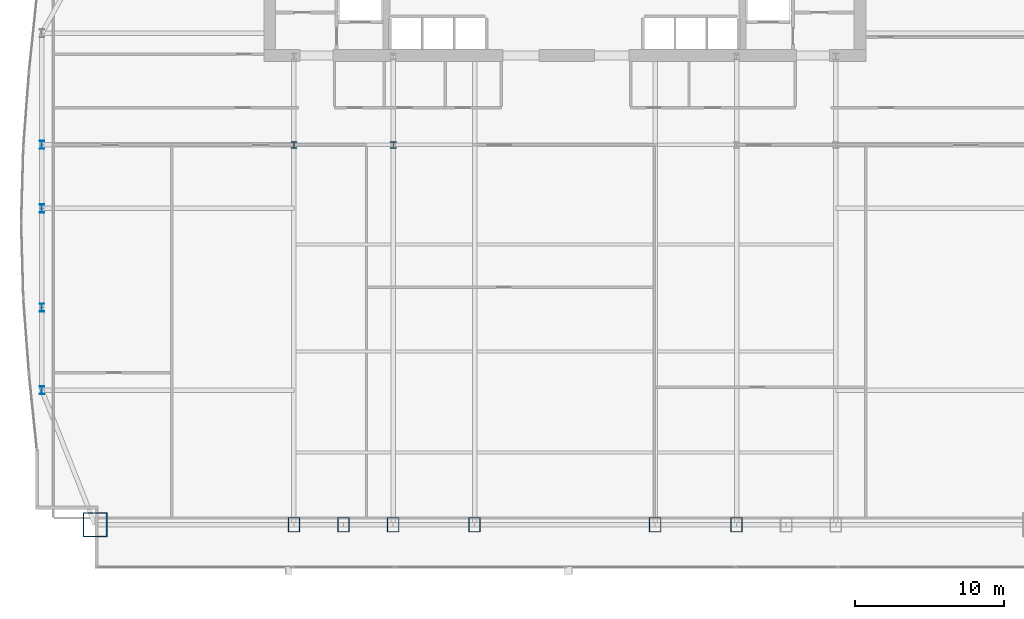
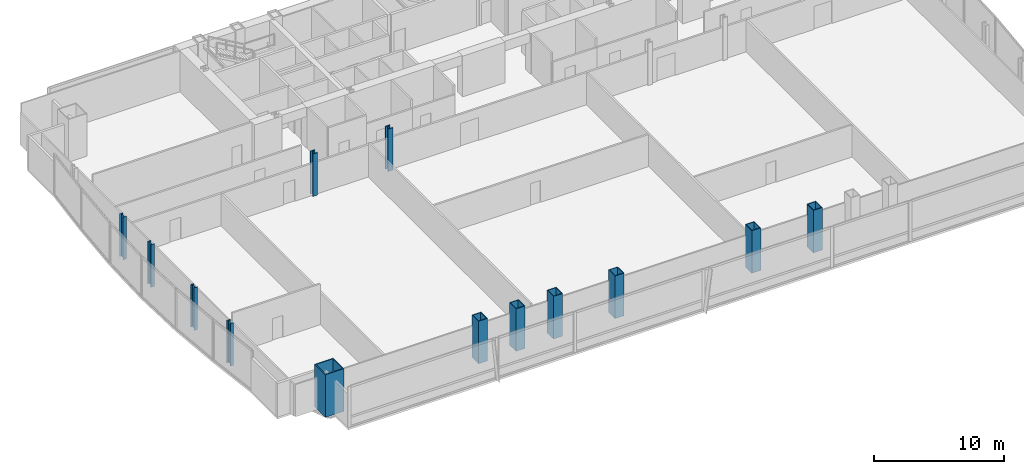
# One storey, part 1 of 32: 13 columns.
"""IFC4 building model written with IfcOpenShell, lengths in metres."""

from ifc_helpers import new_model, si_unit, direction, frame, origin, origin_2d, place, context, subcontext, project, spatial, hollow_rectangle, i_section, extrude, material, material_profile, profile_set, type_object, element, save


model = new_model("IFC4")

# Units and contexts
model_context = context("Model", 3, precision=1e-05, world=origin(), true_north=direction((0.0, 1.0)))
body_context = subcontext(model_context, "Body", "Model", "MODEL_VIEW")
ifc_project = project(units=[si_unit("LENGTHUNIT", "METRE"), si_unit("AREAUNIT", "SQUARE_METRE"), si_unit("VOLUMEUNIT", "CUBIC_METRE"), si_unit("PLANEANGLEUNIT", "RADIAN"), si_unit("MASSUNIT", "GRAM", prefix="KILO")], contexts=[model_context])

# Site, building, storey
site_placement = place(None, origin())
site = spatial("IfcSite", under=ifc_project, at=site_placement, CompositionType="ELEMENT")
building_placement = place(site_placement, origin())
building = spatial("IfcBuilding", under=site, at=building_placement, Name="Khoronbel Lancet Exchange", CompositionType="ELEMENT")
storey_placement = place(building_placement, frame((0.0, 0.0, 29.800048828125)))
storey = spatial("IfcBuildingStorey", under=building, at=storey_placement, Name="L06", CompositionType="ELEMENT", Elevation=29.800048828125)

# Columns
ifc_material_1 = material(Name="Steel S460", Category="steel")
ifc_material_profile_1 = material_profile(ifc_material_1, hollow_rectangle(XDim=0.800048828125, YDim=1.0, WallThickness=0.054931640625, at=origin_2d()), Name="BOX 1000x800x55")
ifc_profile_set_1 = profile_set([ifc_material_profile_1], Name="Steel S460")
column_type_1 = type_object("IfcColumnType", Name="COL-EC1", PredefinedType="COLUMN", material=ifc_profile_set_1)
for number, where, z_axis, x_axis, name in (
    (1, (18.22509765625, 10.14990234375, 0.0), (0.0, 0.0, 1.0), (1.0, 0.0, 0.0), "Structural column SC-W1 L06"),
    (2, (21.5625, 10.14990234375, 0.0), (0.0, 0.0, 1.0), (1.0, 0.0, 0.0), "Structural column SC-WM L06"),
    (3, (24.89990234375, 10.14990234375, 0.0), (0.0, 0.0, 1.0), (1.0, 0.0, 0.0), "Structural column SC-W2 L06"),
    (4, (30.375, 10.14990234375, 0.0), (0.0, 0.0, 1.0), (1.0, 0.0, 0.0), "Structural column SC-C1 L06"),
    (5, (42.52490234375, 10.14990234375, 0.0), (0.0, 0.0, 1.0), (1.0, 0.0, 0.0), "Structural column SC-C2 L06"),
    (6, (48.0, 10.14990234375, 0.0), (0.0, 0.0, 1.0), (1.0, 0.0, 0.0), "Structural column SC-E1 L06"),
):
    element("IfcColumn", number, at=place(storey_placement, frame(where, z_axis=z_axis, x_axis=x_axis)), inside=storey, type_object=column_type_1, Name=name, PredefinedType="COLUMN", context=body_context, shape_type="SweptSolid", body=[
        extrude(hollow_rectangle(XDim=0.800048828125, YDim=1.0, WallThickness=0.054931640625, at=origin_2d()), origin(), (0.0, 0.0, 1.0), 4.0),
    ])
ifc_material_profile_2 = material_profile(ifc_material_1, i_section(OverallWidth=0.424072265625, OverallDepth=0.47412109375, WebThickness=0.047607421875, FlangeThickness=0.076904296875, at=origin_2d()), Name="HD 400x634")
ifc_profile_set_2 = profile_set([ifc_material_profile_2], Name="Steel S460")
column_type_2 = type_object("IfcColumnType", Name="COL-IC1", PredefinedType="COLUMN", material=ifc_profile_set_2)
for number, where, z_axis, x_axis, name in (
    (7, (18.22509765625, 35.699951171875, 0.0), (0.0, 0.0, 1.0), (1.0, 0.0, 0.0), "Spine gravity column TC1 L06"),
    (8, (24.89990234375, 35.699951171875, 0.0), (0.0, 0.0, 1.0), (1.0, 0.0, 0.0), "Spine gravity column TC2 L06"),
):
    element("IfcColumn", number, at=place(storey_placement, frame(where, z_axis=z_axis, x_axis=x_axis)), inside=storey, type_object=column_type_2, Name=name, PredefinedType="COLUMN", context=body_context, shape_type="SweptSolid", body=[
        extrude(i_section(OverallWidth=0.424072265625, OverallDepth=0.47412109375, WebThickness=0.047607421875, FlangeThickness=0.076904296875, at=origin_2d()), origin(), (0.0, 0.0, 1.0), 4.0),
    ])
ifc_material_2 = material(Name="Steel S355", Category="steel")
ifc_material_profile_3 = material_profile(ifc_material_2, i_section(OverallWidth=0.300048828125, OverallDepth=0.550048828125, WebThickness=0.014892578125, FlangeThickness=0.029052734375, at=origin_2d()), Name="HEB 550")
ifc_profile_set_3 = profile_set([ifc_material_profile_3], Name="Steel S355")
column_type_3 = type_object("IfcColumnType", Name="COL-LC1", PredefinedType="COLUMN", material=ifc_profile_set_3)
for number, where, z_axis, x_axis, name in (
    (9, (1.27001953125, 19.199951171875, 0.0), (0.0, 0.0, 1.0), (1.0, 0.0, 0.0), "Structural column WC-1 L06"),
    (10, (1.27001953125, 24.75, 0.0), (0.0, 0.0, 1.0), (1.0, 0.0, 0.0), "Structural column WC-2 L06"),
    (11, (1.27001953125, 31.425048828125, 0.0), (0.0, 0.0, 1.0), (1.0, 0.0, 0.0), "Structural column WC-M L06"),
    (12, (1.27001953125, 35.699951171875, 0.0), (0.0, 0.0, 1.0), (1.0, 0.0, 0.0), "Structural column WC-3 L06"),
):
    element("IfcColumn", number, at=place(storey_placement, frame(where, z_axis=z_axis, x_axis=x_axis)), inside=storey, type_object=column_type_3, Name=name, PredefinedType="COLUMN", context=body_context, shape_type="SweptSolid", body=[
        extrude(i_section(OverallWidth=0.300048828125, OverallDepth=0.550048828125, WebThickness=0.014892578125, FlangeThickness=0.029052734375, at=origin_2d()), origin(), (0.0, 0.0, 1.0), 4.0),
    ])
ifc_material_profile_4 = material_profile(ifc_material_1, hollow_rectangle(XDim=1.64990234375, YDim=1.64990234375, WallThickness=0.074951171875, at=origin_2d()), Name="BOX 1650x1650x75")
ifc_profile_set_4 = profile_set([ifc_material_profile_4], Name="Steel S460")
column_type_4 = type_object("IfcColumnType", Name="COL-MC2", PredefinedType="COLUMN", material=ifc_profile_set_4)
column_placement = place(storey_placement, frame((4.85009765625, 10.14990234375, 0.0), z_axis=(0.0, 0.0, 1.0), x_axis=(1.0, 0.0, 0.0)))
element("IfcColumn", 13, at=column_placement, inside=storey, type_object=column_type_4, Name="Structural column MC-SW L06", PredefinedType="COLUMN", context=body_context, shape_type="SweptSolid", body=[
    extrude(hollow_rectangle(XDim=1.64990234375, YDim=1.64990234375, WallThickness=0.074951171875, at=origin_2d()), origin(), (0.0, 0.0, 1.0), 4.0),
])

save(model, "model.ifc")
